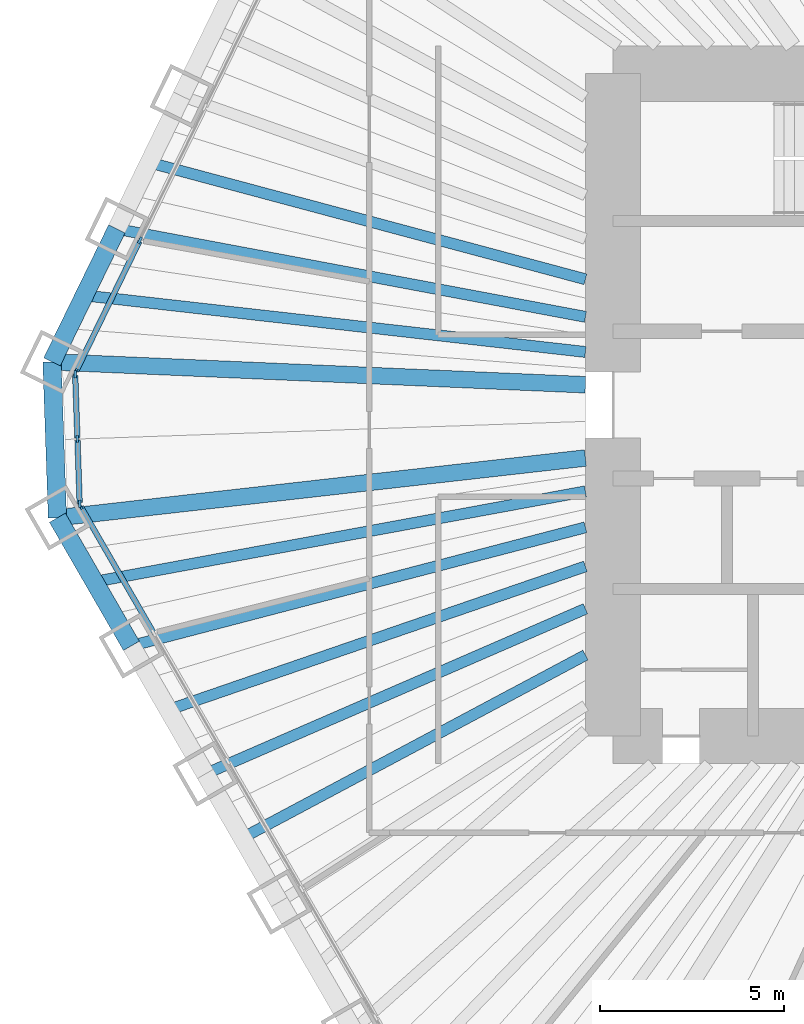
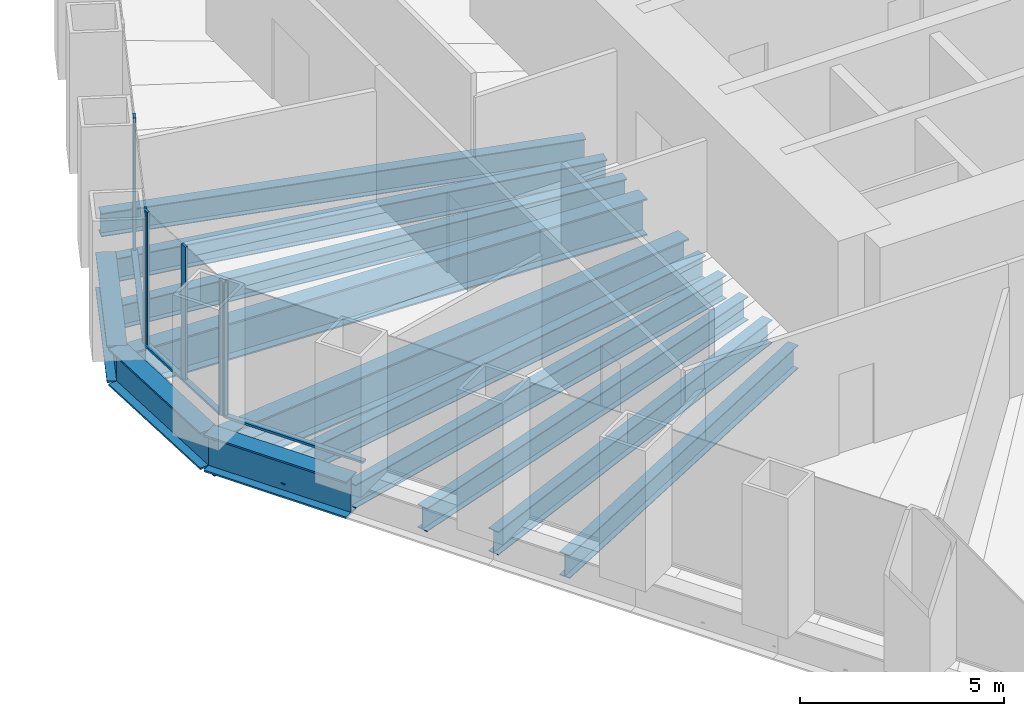
# One storey, part 3 of 13: 13 beams, 10 members, 3 elements without a shape of their own.
"""IFC4 building model written with IfcOpenShell, lengths in metres."""

from ifc_helpers import new_model, si_unit, direction, frame, origin, origin_2d, place, context, subcontext, project, spatial, rectangle, i_section, extrude, material, material_profile, profile_set, type_object, element, aggregate, save


model = new_model("IFC4")

# Units and contexts
model_context = context("Model", 3, precision=1e-05, world=origin(), true_north=direction((0.0, 1.0)))
body_context = subcontext(model_context, "Body", "Model", "MODEL_VIEW")
ifc_project = project(units=[si_unit("LENGTHUNIT", "METRE"), si_unit("AREAUNIT", "SQUARE_METRE"), si_unit("VOLUMEUNIT", "CUBIC_METRE"), si_unit("PLANEANGLEUNIT", "RADIAN"), si_unit("MASSUNIT", "GRAM", prefix="KILO")], contexts=[model_context])

# Site, building, storey
site_placement = place(None, origin())
site = spatial("IfcSite", under=ifc_project, at=site_placement, CompositionType="ELEMENT")
building_placement = place(site_placement, origin())
building = spatial("IfcBuilding", under=site, at=building_placement, Name="Qingtian Harvest Tower", CompositionType="ELEMENT")
storey_placement = place(building_placement, frame((0.0, 0.0, 153.39990234375)))
storey = spatial("IfcBuildingStorey", under=building, at=storey_placement, Name="L32", CompositionType="ELEMENT", Elevation=153.39990234375)

# Beams
ifc_material_1 = material(Name="Steel SM570MC", Category="steel")
ifc_material_profile_1 = material_profile(ifc_material_1, i_section(OverallWidth=0.449951171875, OverallDepth=1.10009765625, WebThickness=0.02197265625, FlangeThickness=0.044921875, at=origin_2d()), Name="H1100x450x22x45")
ifc_profile_set_1 = profile_set([ifc_material_profile_1], Name="Steel SM570MC")
beam_type_1 = type_object("IfcBeamType", Name="Corner floor beam FB8 H1100x450x22x45", PredefinedType="BEAM", material=ifc_profile_set_1)
beam_1_placement = place(storey_placement, frame((-27.096923828125, -3.066650390625, -0.719970703125), z_axis=(0.993656070393, 0.112461610213, 0.0), x_axis=(-0.112461610213, 0.993656070393, 0.0)))
element("IfcBeam", 1, at=beam_1_placement, inside=storey, type_object=beam_type_1, Name="Floor beam FB8 SW6", PredefinedType="BEAM", context=body_context, shape_type="SweptSolid", body=[
    extrude(i_section(OverallWidth=0.449951171875, OverallDepth=1.10009765625, WebThickness=0.02197265625, FlangeThickness=0.044921875, at=origin_2d()), origin(), (0.0, 0.0, 1.0), 14.4384765625),
])
beam_2_placement = place(storey_placement, frame((-27.244873046875, 1.1689453125, -0.719970703125), z_axis=(0.999081074678, -0.042860310542, 0.0), x_axis=(0.042860310542, 0.999081074678, 0.0)))
element("IfcBeam", 2, at=beam_2_placement, inside=storey, type_object=beam_type_1, Name="Floor beam FB8 NW0", PredefinedType="BEAM", context=body_context, shape_type="SweptSolid", body=[
    extrude(i_section(OverallWidth=0.449951171875, OverallDepth=1.10009765625, WebThickness=0.02197265625, FlangeThickness=0.044921875, at=origin_2d()), origin(), (0.0, 0.0, 1.0), 14.50830078125),
])
ifc_material_2 = material(Name="Steel SN490B", Category="steel")
ifc_material_profile_2 = material_profile(ifc_material_2, i_section(OverallWidth=0.300048828125, OverallDepth=0.699951171875, WebThickness=0.012939453125, FlangeThickness=0.02392578125, at=origin_2d()), Name="H700x300x13x24")
ifc_profile_set_2 = profile_set([ifc_material_profile_2], Name="Steel SN490B")
beam_type_2 = type_object("IfcBeamType", Name="Floor beam FB2 H700x300x13x24", PredefinedType="BEAM", material=ifc_profile_set_2)
beam_3_placement = place(storey_placement, frame((-23.077880859375, -10.02783203125, -0.52001953125), z_axis=(0.917154138631, 0.398532666154, 0.0), x_axis=(-0.398532666154, 0.917154138631, 0.0)))
element("IfcBeam", 3, at=beam_3_placement, inside=storey, type_object=beam_type_2, Name="Floor beam FB2 SW4", PredefinedType="BEAM", context=body_context, shape_type="SweptSolid", body=[
    extrude(i_section(OverallWidth=0.300048828125, OverallDepth=0.699951171875, WebThickness=0.012939453125, FlangeThickness=0.02392578125, at=origin_2d()), origin(), (0.0, 0.0, 1.0), 11.2607421875),
])
beam_4_placement = place(storey_placement, frame((-25.08740234375, -6.547119140625, -0.52001953125), z_axis=(0.967592867696, 0.252515429991, 0.0), x_axis=(-0.252515429991, 0.967592867696, 0.0)))
element("IfcBeam", 4, at=beam_4_placement, inside=storey, type_object=beam_type_2, Name="Floor beam FB2 SW5", PredefinedType="BEAM", context=body_context, shape_type="SweptSolid", body=[
    extrude(i_section(OverallWidth=0.300048828125, OverallDepth=0.699951171875, WebThickness=0.012939453125, FlangeThickness=0.02392578125, at=origin_2d()), origin(), (0.0, 0.0, 1.0), 12.750732421875),
])
beam_5_placement = place(storey_placement, frame((-25.483154296875, 4.78125, -0.52001953125), z_axis=(0.982851913913, -0.184396625015, 0.0), x_axis=(0.184396625015, 0.982851913913, 0.0)))
element("IfcBeam", 5, at=beam_5_placement, inside=storey, type_object=beam_type_2, Name="Floor beam FB2 NW1", PredefinedType="BEAM", context=body_context, shape_type="SweptSolid", body=[
    extrude(i_section(OverallWidth=0.300048828125, OverallDepth=0.699951171875, WebThickness=0.012939453125, FlangeThickness=0.02392578125, at=origin_2d()), origin(), (0.0, 0.0, 1.0), 12.955322265625),
])
ifc_material_3 = material(Name="Steel SN490B", Category="steel")
ifc_material_profile_3 = material_profile(ifc_material_3, i_section(OverallWidth=0.300048828125, OverallDepth=0.699951171875, WebThickness=0.012939453125, FlangeThickness=0.02392578125, at=origin_2d()), Name="H700x300x13x24")
ifc_profile_set_3 = profile_set([ifc_material_profile_3], Name="Steel SN490B")
beam_type_3 = type_object("IfcBeamType", Name="Floor joist J2 H700x300x13x24", PredefinedType="JOIST", material=ifc_profile_set_3)
beam_6_placement = place(storey_placement, frame((-22.0732421875, -11.76806640625, -0.52001953125), z_axis=(0.882429048443, 0.47044550637, 0.0), x_axis=(-0.47044550637, 0.882429048443, 0.0)))
element("IfcBeam", 6, at=beam_6_placement, inside=storey, type_object=beam_type_3, Name="Floor joist J2 SW3", PredefinedType="JOIST", context=body_context, shape_type="SweptSolid", body=[
    extrude(i_section(OverallWidth=0.300048828125, OverallDepth=0.699951171875, WebThickness=0.012939453125, FlangeThickness=0.02392578125, at=origin_2d()), origin(), (0.0, 0.0, 1.0), 10.5654296875),
])
beam_7_placement = place(storey_placement, frame((-24.082763671875, -8.28759765625, -0.52001953125), z_axis=(0.945577150072, 0.325397992099, 0.0), x_axis=(-0.325397992099, 0.945577150072, 0.0)))
element("IfcBeam", 7, at=beam_7_placement, inside=storey, type_object=beam_type_3, Name="Floor joist J2 SW4", PredefinedType="JOIST", context=body_context, shape_type="SweptSolid", body=[
    extrude(i_section(OverallWidth=0.300048828125, OverallDepth=0.699951171875, WebThickness=0.012939453125, FlangeThickness=0.02392578125, at=origin_2d()), origin(), (0.0, 0.0, 1.0), 11.985107421875),
])
beam_8_placement = place(storey_placement, frame((-26.09228515625, -4.806884765625, -0.52001953125), z_axis=(0.983450319804, 0.181178002192, 0.0), x_axis=(-0.181178002192, 0.983450319804, 0.0)))
element("IfcBeam", 8, at=beam_8_placement, inside=storey, type_object=beam_type_3, Name="Floor joist J2 SW5", PredefinedType="JOIST", context=body_context, shape_type="SweptSolid", body=[
    extrude(i_section(OverallWidth=0.300048828125, OverallDepth=0.699951171875, WebThickness=0.012939453125, FlangeThickness=0.02392578125, at=origin_2d()), origin(), (0.0, 0.0, 1.0), 13.56689453125),
])
beam_9_placement = place(storey_placement, frame((-26.364013671875, 2.97509765625, -0.52001953125), z_axis=(0.993692330348, -0.112140771387, 0.0), x_axis=(0.112140771387, 0.993692330348, 0.0)))
element("IfcBeam", 9, at=beam_9_placement, inside=storey, type_object=beam_type_3, Name="Floor joist J2 NW0", PredefinedType="JOIST", context=body_context, shape_type="SweptSolid", body=[
    extrude(i_section(OverallWidth=0.300048828125, OverallDepth=0.699951171875, WebThickness=0.012939453125, FlangeThickness=0.02392578125, at=origin_2d()), origin(), (0.0, 0.0, 1.0), 13.700439453125),
])
beam_10_placement = place(storey_placement, frame((-24.60205078125, 6.58740234375, -0.52001953125), z_axis=(0.965969893862, -0.258654526641, 0.0), x_axis=(0.258654526641, 0.965969893862, 0.0)))
element("IfcBeam", 10, at=beam_10_placement, inside=storey, type_object=beam_type_3, Name="Floor joist J2 NW1", PredefinedType="JOIST", context=body_context, shape_type="SweptSolid", body=[
    extrude(i_section(OverallWidth=0.300048828125, OverallDepth=0.699951171875, WebThickness=0.012939453125, FlangeThickness=0.02392578125, at=origin_2d()), origin(), (0.0, 0.0, 1.0), 12.26953125),
])

# Curtain wall, member
ifc_material_4 = material(Name="Bronze-anodised aluminium curtain wall", Category="aluminium")
curtain_wall_type = type_object("IfcCurtainWallType", Name="Curtain wall CW4 office", PredefinedType="USERDEFINED", material=ifc_material_4)
curtain_wall_1_placement = place(storey_placement, origin())
curtain_wall_1 = element("IfcCurtainWall", 11, at=curtain_wall_1_placement, inside=storey, type_object=curtain_wall_type, Name="Curtain wall CW4 L32 SW0-5", ObjectType="RECESSED CURTAIN WALL", PredefinedType="USERDEFINED")
ifc_material_5 = material(Name="Bronze-anodised aluminium mullion", Category="aluminium")
ifc_material_profile_4 = material_profile(ifc_material_5, rectangle(XDim=0.06494140625, YDim=0.199951171875, at=origin_2d()), Name="AL 65x200")
ifc_profile_set_4 = profile_set([ifc_material_profile_4], Name="Bronze-anodised aluminium mullion")
member_type_1 = type_object("IfcMemberType", Name="Mullion CWM 65x200", PredefinedType="MULLION", material=ifc_profile_set_4)
member_1_placement = place(storey_placement, frame((-26.474609375, -2.744873046875, 0.0), z_axis=(0.0, 0.0, 1.0), x_axis=(-0.866025403784, -0.5, 0.0)))
member_1 = element("IfcMember", 12, at=member_1_placement, type_object=member_type_1, Name="CW4 mullion 7", PredefinedType="MULLION", context=body_context, shape_type="SweptSolid", body=[
    extrude(rectangle(XDim=0.06494140625, YDim=0.199951171875, at=origin_2d()), origin(), (0.0, 0.0, 1.0), 4.030029296875),
])

# Curtain wall, members
curtain_wall_2_placement = place(storey_placement, origin())
curtain_wall_2 = element("IfcCurtainWall", 13, at=curtain_wall_2_placement, inside=storey, type_object=curtain_wall_type, Name="Curtain wall CW4 L32 SWC", ObjectType="RECESSED CURTAIN WALL", PredefinedType="USERDEFINED")
member_2_placement = place(storey_placement, frame((-26.491943359375, -2.68408203125, 0.0), z_axis=(0.0, 0.0, 1.0), x_axis=(-0.999390827019, -0.034899496703, 0.0)))
member_2 = element("IfcMember", 14, at=member_2_placement, type_object=member_type_1, Name="CW4 mullion 1", PredefinedType="MULLION", context=body_context, shape_type="SweptSolid", body=[
    extrude(rectangle(XDim=0.06494140625, YDim=0.199951171875, at=origin_2d()), origin(), (0.0, 0.0, 1.0), 4.030029296875),
])
member_3_placement = place(storey_placement, frame((-26.55322265625, -0.92724609375, 0.0), z_axis=(0.0, 0.0, 1.0), x_axis=(-0.999390827019, -0.034899496703, 0.0)))
member_3 = element("IfcMember", 15, at=member_3_placement, type_object=member_type_1, Name="CW4 mullion 2", PredefinedType="MULLION", context=body_context, shape_type="SweptSolid", body=[
    extrude(rectangle(XDim=0.06494140625, YDim=0.199951171875, at=origin_2d()), origin(), (0.0, 0.0, 1.0), 4.030029296875),
])
member_4_placement = place(storey_placement, frame((-26.614501953125, 0.82958984375, 0.0), z_axis=(0.0, 0.0, 1.0), x_axis=(-0.999390827019, -0.034899496703, 0.0)))
member_4 = element("IfcMember", 16, at=member_4_placement, type_object=member_type_1, Name="CW4 mullion 3", PredefinedType="MULLION", context=body_context, shape_type="SweptSolid", body=[
    extrude(rectangle(XDim=0.06494140625, YDim=0.199951171875, at=origin_2d()), origin(), (0.0, 0.0, 1.0), 4.030029296875),
])

curtain_wall_3_placement = place(storey_placement, origin())
curtain_wall_3 = element("IfcCurtainWall", 17, at=curtain_wall_3_placement, inside=storey, type_object=curtain_wall_type, Name="Curtain wall CW4 L32 NW0-5", ObjectType="RECESSED CURTAIN WALL", PredefinedType="USERDEFINED")
member_5_placement = place(storey_placement, frame((-26.6015625, 0.891357421875, 0.0), z_axis=(0.0, 0.0, 1.0), x_axis=(-0.898794046299, 0.438371146789, 0.0)))
member_5 = element("IfcMember", 18, at=member_5_placement, type_object=member_type_1, Name="CW4 mullion 1", PredefinedType="MULLION", context=body_context, shape_type="SweptSolid", body=[
    extrude(rectangle(XDim=0.06494140625, YDim=0.199951171875, at=origin_2d()), origin(), (0.0, 0.0, 1.0), 4.030029296875),
])
member_6_placement = place(storey_placement, frame((-24.85400390625, 4.474365234375, 0.0), z_axis=(0.0, 0.0, 1.0), x_axis=(-0.898794046299, 0.438371146789, 0.0)))
member_6 = element("IfcMember", 19, at=member_6_placement, type_object=member_type_1, Name="CW4 mullion 2", PredefinedType="MULLION", context=body_context, shape_type="SweptSolid", body=[
    extrude(rectangle(XDim=0.06494140625, YDim=0.199951171875, at=origin_2d()), origin(), (0.0, 0.0, 1.0), 4.030029296875),
])

# Beams
ifc_material_6 = material(Name="Steel SM570MC", Category="steel")
ifc_material_profile_5 = material_profile(ifc_material_6, i_section(OverallWidth=0.5, OverallDepth=1.10009765625, WebThickness=0.02490234375, FlangeThickness=0.050048828125, at=origin_2d()), Name="H1100x500x25x50")
ifc_profile_set_5 = profile_set([ifc_material_profile_5], Name="Steel SM570MC")
beam_type_4 = type_object("IfcBeamType", Name="Spandrel beam SB2 H1100x500x25x50", PredefinedType="SPANDREL", material=ifc_profile_set_5)
beam_11_placement = place(storey_placement, frame((-25.08740234375, -6.547119140625, -0.5498046875), z_axis=(-0.500013420409, 0.866017655369, 0.0), x_axis=(-0.866017655369, -0.500013420409, 0.0)))
element("IfcBeam", 20, at=beam_11_placement, inside=storey, type_object=beam_type_4, Name="Spandrel SB2 SW5", PredefinedType="SPANDREL", context=body_context, shape_type="SweptSolid", body=[
    extrude(i_section(OverallWidth=0.5, OverallDepth=1.10009765625, WebThickness=0.02490234375, FlangeThickness=0.050048828125, at=origin_2d()), origin(), (0.0, 0.0, 1.0), 4.01904296875),
])
beam_12_placement = place(storey_placement, frame((-27.096923828125, -3.066650390625, -0.5498046875), z_axis=(-0.034908677553, 0.999390506375, 0.0), x_axis=(-0.999390506375, -0.034908677553, 0.0)))
element("IfcBeam", 21, at=beam_12_placement, inside=storey, type_object=beam_type_4, Name="Spandrel SB2 SWC", PredefinedType="SPANDREL", context=body_context, shape_type="SweptSolid", body=[
    extrude(i_section(OverallWidth=0.5, OverallDepth=1.10009765625, WebThickness=0.02490234375, FlangeThickness=0.050048828125, at=origin_2d()), origin(), (0.0, 0.0, 1.0), 4.23828125),
])
beam_13_placement = place(storey_placement, frame((-27.244873046875, 1.1689453125, -0.5498046875), z_axis=(0.438347033158, 0.898805806902, 0.0), x_axis=(-0.898805806902, 0.438347033158, 0.0)))
element("IfcBeam", 22, at=beam_13_placement, inside=storey, type_object=beam_type_4, Name="Spandrel SB2 NW0", PredefinedType="SPANDREL", context=body_context, shape_type="SweptSolid", body=[
    extrude(i_section(OverallWidth=0.5, OverallDepth=1.10009765625, WebThickness=0.02490234375, FlangeThickness=0.050048828125, at=origin_2d()), origin(), (0.0, 0.0, 1.0), 4.01904296875),
])

# Member
ifc_material_7 = material(Name="Bronze-anodised aluminium transom", Category="aluminium")
ifc_material_profile_6 = material_profile(ifc_material_7, rectangle(XDim=0.14990234375, YDim=0.06494140625, at=origin_2d()), Name="AL 65x150")
ifc_profile_set_6 = profile_set([ifc_material_profile_6], Name="Bronze-anodised aluminium transom")
member_type_2 = type_object("IfcMemberType", Name="Transom CWT 65x150", PredefinedType="USERDEFINED", material=ifc_profile_set_6)
member_7_placement = place(storey_placement, frame((-24.49755859375, -6.169189453125, 0.03271484375), z_axis=(-0.499975738995, 0.866039410429, 0.0), x_axis=(-0.866039410429, -0.499975738995, 0.0)))
member_7 = element("IfcMember", 23, at=member_7_placement, type_object=member_type_2, Name="CW4 transom 6.1", ObjectType="TRANSOM", PredefinedType="USERDEFINED", context=body_context, shape_type="SweptSolid", body=[
    extrude(rectangle(XDim=0.14990234375, YDim=0.06494140625, at=origin_2d()), origin(), (0.0, 0.0, 1.0), 3.921630859375),
])

aggregate(curtain_wall_1, [member_1, member_7])

member_8_placement = place(storey_placement, frame((-26.4931640625, -2.651611328125, 0.03271484375), z_axis=(-0.034899362377, 0.99939083171, 0.0), x_axis=(-0.99939083171, -0.034899362377, 0.0)))
member_8 = element("IfcMember", 24, at=member_8_placement, type_object=member_type_2, Name="CW4 transom 1.1", ObjectType="TRANSOM", PredefinedType="USERDEFINED", context=body_context, shape_type="SweptSolid", body=[
    extrude(rectangle(XDim=0.14990234375, YDim=0.06494140625, at=origin_2d()), origin(), (0.0, 0.0, 1.0), 1.69287109375),
])

member_9_placement = place(storey_placement, frame((-26.554443359375, -0.894775390625, 0.03271484375), z_axis=(-0.034899362377, 0.99939083171, 0.0), x_axis=(-0.99939083171, -0.034899362377, 0.0)))
member_9 = element("IfcMember", 25, at=member_9_placement, type_object=member_type_2, Name="CW4 transom 2.1", ObjectType="TRANSOM", PredefinedType="USERDEFINED", context=body_context, shape_type="SweptSolid", body=[
    extrude(rectangle(XDim=0.14990234375, YDim=0.06494140625, at=origin_2d()), origin(), (0.0, 0.0, 1.0), 1.69287109375),
])

aggregate(curtain_wall_2, [member_2, member_3, member_4, member_8, member_9])

member_10_placement = place(storey_placement, frame((-26.587158203125, 0.92041015625, 0.03271484375), z_axis=(0.438326734225, 0.898815706396, 0.0), x_axis=(-0.898815706396, 0.438326734225, 0.0)))
member_10 = element("IfcMember", 26, at=member_10_placement, type_object=member_type_2, Name="CW4 transom 1.1", ObjectType="TRANSOM", PredefinedType="USERDEFINED", context=body_context, shape_type="SweptSolid", body=[
    extrude(rectangle(XDim=0.14990234375, YDim=0.06494140625, at=origin_2d()), origin(), (0.0, 0.0, 1.0), 3.921630859375),
])

aggregate(curtain_wall_3, [member_5, member_6, member_10])

save(model, "model.ifc")
